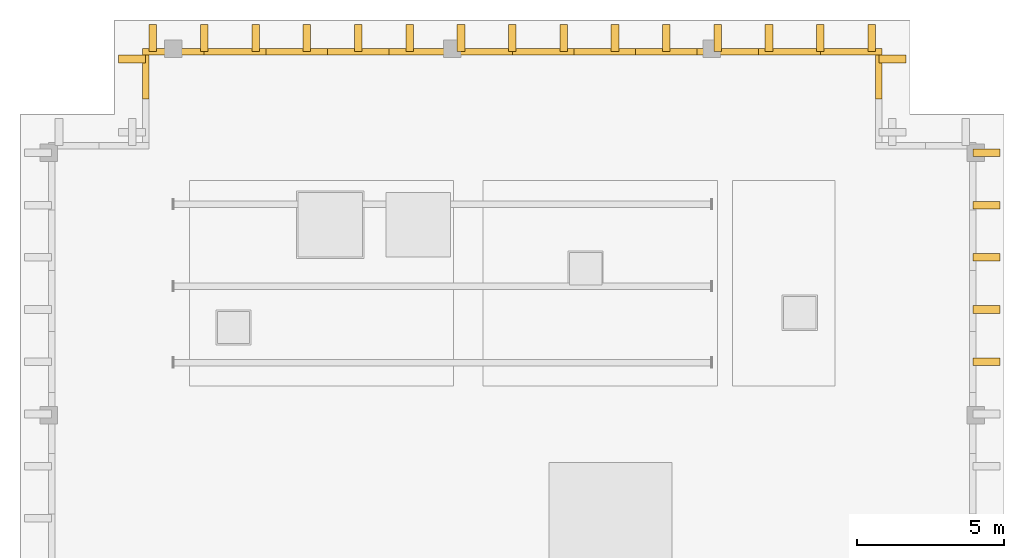
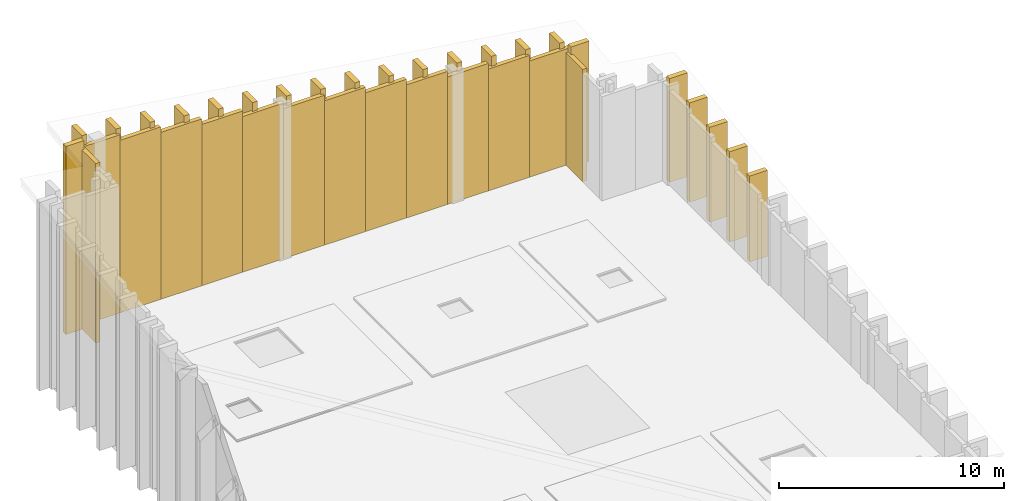
# One storey, part 5 of 5: 36 coverings.
"""IFC4 building model written with IfcOpenShell, lengths in metres."""

from ifc_helpers import new_model, si_unit, direction, frame, origin, place, context, subcontext, project, spatial, polyline, outline, extrude, material, layer, layer_set, type_object, element, save


model = new_model("IFC4")

# Units and contexts
model_context = context("Model", 3, precision=1e-05, world=origin(), true_north=direction((0.0, 1.0)))
body_context = subcontext(model_context, "Body", "Model", "MODEL_VIEW")
ifc_project = project(units=[si_unit("LENGTHUNIT", "METRE"), si_unit("AREAUNIT", "SQUARE_METRE"), si_unit("VOLUMEUNIT", "CUBIC_METRE"), si_unit("PLANEANGLEUNIT", "RADIAN"), si_unit("MASSUNIT", "GRAM", prefix="KILO")], contexts=[model_context])

# Site, building, storey
site_placement = place(None, origin())
site = spatial("IfcSite", under=ifc_project, at=site_placement, CompositionType="ELEMENT")
building_placement = place(site_placement, origin())
building = spatial("IfcBuilding", under=site, at=building_placement, Name="Kundavana Baori Tower", CompositionType="ELEMENT")
storey_placement = place(building_placement, frame((0.0, 0.0, 368.39990234375)))
storey = spatial("IfcBuildingStorey", under=building, at=storey_placement, Name="L89", CompositionType="ELEMENT", Elevation=368.39990234375)

# Coverings
ifc_material_1 = material(Name="Red-Buff Dholpur Sandstone Cladding on Concrete C40/50", Category="masonry")
ifc_layer_1 = layer(ifc_material_1, 0.050048828125, Name="COV-EXT-CLAD")
ifc_layer_set_1 = layer_set([ifc_layer_1], Name="Red-Buff Dholpur Sandstone Cladding on Concrete C40/50")
covering_type_1 = type_object("IfcCoveringType", Name="COV-EXT-CLAD", PredefinedType="CLADDING", material=ifc_layer_set_1)
covering_1_placement = place(storey_placement, origin())
element("IfcCovering", 1, at=covering_1_placement, inside=storey, type_object=covering_type_1, Name="L89 Sloped Sail Crown Stone Cladding Drum 06-02", PredefinedType="CLADDING", context=body_context, shape_type="SweptSolid", body=[
    extrude(outline(polyline([(39.3798828125, 43.7900390625), (39.60009765625, 43.7900390625), (39.60009765625, 45.280029296875), (39.3798828125, 45.280029296875), (39.3798828125, 43.7900390625)])), origin(), (0.0, 0.0, 1.0), 6.09716796875),
])
covering_2_placement = place(storey_placement, origin())
element("IfcCovering", 2, at=covering_2_placement, inside=storey, type_object=covering_type_1, Name="L89 Sloped Sail Crown Stone Cladding Drum 07-01", PredefinedType="CLADDING", context=body_context, shape_type="SweptSolid", body=[
    extrude(outline(polyline([(37.5, 45.280029296875), (39.60009765625, 45.280029296875), (39.60009765625, 45.5), (37.5, 45.5), (37.5, 45.280029296875)])), origin(), (0.0, 0.0, 1.0), 6.299072265625),
])
covering_3_placement = place(storey_placement, origin())
element("IfcCovering", 3, at=covering_3_placement, inside=storey, type_object=covering_type_1, Name="L89 Sloped Sail Crown Stone Cladding Drum 07-02", PredefinedType="CLADDING", context=body_context, shape_type="SweptSolid", body=[
    extrude(outline(polyline([(35.39990234375, 45.280029296875), (37.5, 45.280029296875), (37.5, 45.5), (35.39990234375, 45.5), (35.39990234375, 45.280029296875)])), origin(), (0.0, 0.0, 1.0), 6.6044921875),
])
covering_4_placement = place(storey_placement, origin())
element("IfcCovering", 4, at=covering_4_placement, inside=storey, type_object=covering_type_1, Name="L89 Sloped Sail Crown Stone Cladding Drum 07-03", PredefinedType="CLADDING", context=body_context, shape_type="SweptSolid", body=[
    extrude(outline(polyline([(33.300048828125, 45.280029296875), (35.39990234375, 45.280029296875), (35.39990234375, 45.5), (33.300048828125, 45.5), (33.300048828125, 45.280029296875)])), origin(), (0.0, 0.0, 1.0), 6.910400390625),
])
covering_5_placement = place(storey_placement, origin())
element("IfcCovering", 5, at=covering_5_placement, inside=storey, type_object=covering_type_1, Name="L89 Sloped Sail Crown Stone Cladding Drum 07-04", PredefinedType="CLADDING", context=body_context, shape_type="SweptSolid", body=[
    extrude(outline(polyline([(31.199951171875, 45.280029296875), (33.300048828125, 45.280029296875), (33.300048828125, 45.5), (31.199951171875, 45.5), (31.199951171875, 45.280029296875)])), origin(), (0.0, 0.0, 1.0), 7.216064453125),
])
covering_6_placement = place(storey_placement, origin())
element("IfcCovering", 6, at=covering_6_placement, inside=storey, type_object=covering_type_1, Name="L89 Sloped Sail Crown Stone Cladding Drum 07-05", PredefinedType="CLADDING", context=body_context, shape_type="SweptSolid", body=[
    extrude(outline(polyline([(29.10009765625, 45.280029296875), (31.199951171875, 45.280029296875), (31.199951171875, 45.5), (29.10009765625, 45.5), (29.10009765625, 45.280029296875)])), origin(), (0.0, 0.0, 1.0), 7.521728515625),
])
covering_7_placement = place(storey_placement, origin())
element("IfcCovering", 7, at=covering_7_placement, inside=storey, type_object=covering_type_1, Name="L89 Sloped Sail Crown Stone Cladding Drum 07-06", PredefinedType="CLADDING", context=body_context, shape_type="SweptSolid", body=[
    extrude(outline(polyline([(27.0, 45.280029296875), (29.10009765625, 45.280029296875), (29.10009765625, 45.5), (27.0, 45.5), (27.0, 45.280029296875)])), origin(), (0.0, 0.0, 1.0), 7.827392578125),
])
covering_8_placement = place(storey_placement, origin())
element("IfcCovering", 8, at=covering_8_placement, inside=storey, type_object=covering_type_1, Name="L89 Sloped Sail Crown Stone Cladding Drum 07-07", PredefinedType="CLADDING", context=body_context, shape_type="SweptSolid", body=[
    extrude(outline(polyline([(24.89990234375, 45.280029296875), (27.0, 45.280029296875), (27.0, 45.5), (24.89990234375, 45.5), (24.89990234375, 45.280029296875)])), origin(), (0.0, 0.0, 1.0), 8.133056640625),
])
covering_9_placement = place(storey_placement, origin())
element("IfcCovering", 9, at=covering_9_placement, inside=storey, type_object=covering_type_1, Name="L89 Sloped Sail Crown Stone Cladding Drum 07-08", PredefinedType="CLADDING", context=body_context, shape_type="SweptSolid", body=[
    extrude(outline(polyline([(22.800048828125, 45.280029296875), (24.89990234375, 45.280029296875), (24.89990234375, 45.5), (22.800048828125, 45.5), (22.800048828125, 45.280029296875)])), origin(), (0.0, 0.0, 1.0), 8.438720703125),
])
covering_10_placement = place(storey_placement, origin())
element("IfcCovering", 10, at=covering_10_placement, inside=storey, type_object=covering_type_1, Name="L89 Sloped Sail Crown Stone Cladding Drum 07-09", PredefinedType="CLADDING", context=body_context, shape_type="SweptSolid", body=[
    extrude(outline(polyline([(20.699951171875, 45.280029296875), (22.800048828125, 45.280029296875), (22.800048828125, 45.5), (20.699951171875, 45.5), (20.699951171875, 45.280029296875)])), origin(), (0.0, 0.0, 1.0), 8.744384765625),
])
covering_11_placement = place(storey_placement, origin())
element("IfcCovering", 11, at=covering_11_placement, inside=storey, type_object=covering_type_1, Name="L89 Sloped Sail Crown Stone Cladding Drum 07-10", PredefinedType="CLADDING", context=body_context, shape_type="SweptSolid", body=[
    extrude(outline(polyline([(18.60009765625, 45.280029296875), (20.699951171875, 45.280029296875), (20.699951171875, 45.5), (18.60009765625, 45.5), (18.60009765625, 45.280029296875)])), origin(), (0.0, 0.0, 1.0), 9.05029296875),
])
covering_12_placement = place(storey_placement, origin())
element("IfcCovering", 12, at=covering_12_placement, inside=storey, type_object=covering_type_1, Name="L89 Sloped Sail Crown Stone Cladding Drum 07-11", PredefinedType="CLADDING", context=body_context, shape_type="SweptSolid", body=[
    extrude(outline(polyline([(16.5, 45.280029296875), (18.60009765625, 45.280029296875), (18.60009765625, 45.5), (16.5, 45.5), (16.5, 45.280029296875)])), origin(), (0.0, 0.0, 1.0), 9.35595703125),
])
covering_13_placement = place(storey_placement, origin())
element("IfcCovering", 13, at=covering_13_placement, inside=storey, type_object=covering_type_1, Name="L89 Sloped Sail Crown Stone Cladding Drum 07-12", PredefinedType="CLADDING", context=body_context, shape_type="SweptSolid", body=[
    extrude(outline(polyline([(14.39990234375, 45.280029296875), (16.5, 45.280029296875), (16.5, 45.5), (14.39990234375, 45.5), (14.39990234375, 45.280029296875)])), origin(), (0.0, 0.0, 1.0), 9.66162109375),
])
covering_14_placement = place(storey_placement, origin())
element("IfcCovering", 14, at=covering_14_placement, inside=storey, type_object=covering_type_1, Name="L89 Sloped Sail Crown Stone Cladding Drum 08-01", PredefinedType="CLADDING", context=body_context, shape_type="SweptSolid", body=[
    extrude(outline(polyline([(14.39990234375, 43.7900390625), (14.6201171875, 43.7900390625), (14.6201171875, 45.280029296875), (14.39990234375, 45.280029296875), (14.39990234375, 43.7900390625)])), origin(), (0.0, 0.0, 1.0), 9.7333984375),
])
ifc_material_2 = material(Name="Cream-White Makrana Limestone on Concrete C40/50", Category="masonry")
ifc_layer_2 = layer(ifc_material_2, 0.239990234375, Name="COV-SAIL-FIN")
ifc_layer_set_2 = layer_set([ifc_layer_2], Name="Cream-White Makrana Limestone on Concrete C40/50")
covering_type_2 = type_object("IfcCoveringType", Name="COV-SAIL-FIN", PredefinedType="CLADDING", material=ifc_layer_set_2)
covering_15_placement = place(storey_placement, origin())
element("IfcCovering", 15, at=covering_15_placement, inside=storey, type_object=covering_type_2, Name="L89 Climbing Makrana White Limestone Sail Fin 031", PredefinedType="CLADDING", context=body_context, shape_type="SweptSolid", body=[
    extrude(outline(polyline([(42.699951171875, 34.699951171875), (43.6201171875, 34.699951171875), (43.6201171875, 34.9599609375), (42.699951171875, 34.9599609375), (42.699951171875, 34.699951171875)])), origin(), (0.0, 0.0, 1.0), 4.657958984375),
])
covering_16_placement = place(storey_placement, origin())
element("IfcCovering", 16, at=covering_16_placement, inside=storey, type_object=covering_type_2, Name="L89 Climbing Makrana White Limestone Sail Fin 032", PredefinedType="CLADDING", context=body_context, shape_type="SweptSolid", body=[
    extrude(outline(polyline([(42.699951171875, 36.47998046875), (43.6201171875, 36.47998046875), (43.6201171875, 36.739990234375), (42.699951171875, 36.739990234375), (42.699951171875, 36.47998046875)])), origin(), (0.0, 0.0, 1.0), 4.900146484375),
])
covering_17_placement = place(storey_placement, origin())
element("IfcCovering", 17, at=covering_17_placement, inside=storey, type_object=covering_type_2, Name="L89 Climbing Makrana White Limestone Sail Fin 033", PredefinedType="CLADDING", context=body_context, shape_type="SweptSolid", body=[
    extrude(outline(polyline([(42.699951171875, 38.260009765625), (43.6201171875, 38.260009765625), (43.6201171875, 38.52001953125), (42.699951171875, 38.52001953125), (42.699951171875, 38.260009765625)])), origin(), (0.0, 0.0, 1.0), 5.142578125),
])
covering_18_placement = place(storey_placement, origin())
element("IfcCovering", 18, at=covering_18_placement, inside=storey, type_object=covering_type_2, Name="L89 Climbing Makrana White Limestone Sail Fin 034", PredefinedType="CLADDING", context=body_context, shape_type="SweptSolid", body=[
    extrude(outline(polyline([(42.699951171875, 40.0400390625), (43.6201171875, 40.0400390625), (43.6201171875, 40.300048828125), (42.699951171875, 40.300048828125), (42.699951171875, 40.0400390625)])), origin(), (0.0, 0.0, 1.0), 5.384765625),
])
covering_19_placement = place(storey_placement, origin())
element("IfcCovering", 19, at=covering_19_placement, inside=storey, type_object=covering_type_2, Name="L89 Climbing Makrana White Limestone Sail Fin 035", PredefinedType="CLADDING", context=body_context, shape_type="SweptSolid", body=[
    extrude(outline(polyline([(42.699951171875, 41.820068359375), (43.6201171875, 41.820068359375), (43.6201171875, 42.080078125), (42.699951171875, 42.080078125), (42.699951171875, 41.820068359375)])), origin(), (0.0, 0.0, 1.0), 5.626953125),
])
covering_20_placement = place(storey_placement, origin())
element("IfcCovering", 20, at=covering_20_placement, inside=storey, type_object=covering_type_2, Name="L89 Climbing Makrana White Limestone Sail Fin 039", PredefinedType="CLADDING", context=body_context, shape_type="SweptSolid", body=[
    extrude(outline(polyline([(39.5, 45.02001953125), (40.419921875, 45.02001953125), (40.419921875, 45.280029296875), (39.5, 45.280029296875), (39.5, 45.02001953125)])), origin(), (0.0, 0.0, 1.0), 6.5283203125),
])
covering_21_placement = place(storey_placement, origin())
element("IfcCovering", 21, at=covering_21_placement, inside=storey, type_object=covering_type_2, Name="L89 Climbing Makrana White Limestone Sail Fin 040", PredefinedType="CLADDING", context=body_context, shape_type="SweptSolid", body=[
    extrude(outline(polyline([(39.1201171875, 45.39990234375), (39.3798828125, 45.39990234375), (39.3798828125, 46.320068359375), (39.1201171875, 46.320068359375), (39.1201171875, 45.39990234375)])), origin(), (0.0, 0.0, 1.0), 6.626953125),
])
covering_22_placement = place(storey_placement, origin())
element("IfcCovering", 22, at=covering_22_placement, inside=storey, type_object=covering_type_2, Name="L89 Climbing Makrana White Limestone Sail Fin 041", PredefinedType="CLADDING", context=body_context, shape_type="SweptSolid", body=[
    extrude(outline(polyline([(37.3701171875, 45.39990234375), (37.6298828125, 45.39990234375), (37.6298828125, 46.320068359375), (37.3701171875, 46.320068359375), (37.3701171875, 45.39990234375)])), origin(), (0.0, 0.0, 1.0), 6.881591796875),
])
covering_23_placement = place(storey_placement, origin())
element("IfcCovering", 23, at=covering_23_placement, inside=storey, type_object=covering_type_2, Name="L89 Climbing Makrana White Limestone Sail Fin 042", PredefinedType="CLADDING", context=body_context, shape_type="SweptSolid", body=[
    extrude(outline(polyline([(35.6201171875, 45.39990234375), (35.8798828125, 45.39990234375), (35.8798828125, 46.320068359375), (35.6201171875, 46.320068359375), (35.6201171875, 45.39990234375)])), origin(), (0.0, 0.0, 1.0), 7.136474609375),
])
covering_24_placement = place(storey_placement, origin())
element("IfcCovering", 24, at=covering_24_placement, inside=storey, type_object=covering_type_2, Name="L89 Climbing Makrana White Limestone Sail Fin 043", PredefinedType="CLADDING", context=body_context, shape_type="SweptSolid", body=[
    extrude(outline(polyline([(33.8701171875, 45.39990234375), (34.1298828125, 45.39990234375), (34.1298828125, 46.320068359375), (33.8701171875, 46.320068359375), (33.8701171875, 45.39990234375)])), origin(), (0.0, 0.0, 1.0), 7.39111328125),
])
covering_25_placement = place(storey_placement, origin())
element("IfcCovering", 25, at=covering_25_placement, inside=storey, type_object=covering_type_2, Name="L89 Climbing Makrana White Limestone Sail Fin 044", PredefinedType="CLADDING", context=body_context, shape_type="SweptSolid", body=[
    extrude(outline(polyline([(32.1201171875, 45.39990234375), (32.3798828125, 45.39990234375), (32.3798828125, 46.320068359375), (32.1201171875, 46.320068359375), (32.1201171875, 45.39990234375)])), origin(), (0.0, 0.0, 1.0), 7.64599609375),
])
covering_26_placement = place(storey_placement, origin())
element("IfcCovering", 26, at=covering_26_placement, inside=storey, type_object=covering_type_2, Name="L89 Climbing Makrana White Limestone Sail Fin 045", PredefinedType="CLADDING", context=body_context, shape_type="SweptSolid", body=[
    extrude(outline(polyline([(30.3701171875, 45.39990234375), (30.6298828125, 45.39990234375), (30.6298828125, 46.320068359375), (30.3701171875, 46.320068359375), (30.3701171875, 45.39990234375)])), origin(), (0.0, 0.0, 1.0), 7.900634765625),
])
covering_27_placement = place(storey_placement, origin())
element("IfcCovering", 27, at=covering_27_placement, inside=storey, type_object=covering_type_2, Name="L89 Climbing Makrana White Limestone Sail Fin 046", PredefinedType="CLADDING", context=body_context, shape_type="SweptSolid", body=[
    extrude(outline(polyline([(28.6201171875, 45.39990234375), (28.8798828125, 45.39990234375), (28.8798828125, 46.320068359375), (28.6201171875, 46.320068359375), (28.6201171875, 45.39990234375)])), origin(), (0.0, 0.0, 1.0), 8.155517578125),
])
covering_28_placement = place(storey_placement, origin())
element("IfcCovering", 28, at=covering_28_placement, inside=storey, type_object=covering_type_2, Name="L89 Climbing Makrana White Limestone Sail Fin 047", PredefinedType="CLADDING", context=body_context, shape_type="SweptSolid", body=[
    extrude(outline(polyline([(26.8701171875, 45.39990234375), (27.1298828125, 45.39990234375), (27.1298828125, 46.320068359375), (26.8701171875, 46.320068359375), (26.8701171875, 45.39990234375)])), origin(), (0.0, 0.0, 1.0), 8.41015625),
])
covering_29_placement = place(storey_placement, origin())
element("IfcCovering", 29, at=covering_29_placement, inside=storey, type_object=covering_type_2, Name="L89 Climbing Makrana White Limestone Sail Fin 048", PredefinedType="CLADDING", context=body_context, shape_type="SweptSolid", body=[
    extrude(outline(polyline([(25.1201171875, 45.39990234375), (25.3798828125, 45.39990234375), (25.3798828125, 46.320068359375), (25.1201171875, 46.320068359375), (25.1201171875, 45.39990234375)])), origin(), (0.0, 0.0, 1.0), 8.664794921875),
])
covering_30_placement = place(storey_placement, origin())
element("IfcCovering", 30, at=covering_30_placement, inside=storey, type_object=covering_type_2, Name="L89 Climbing Makrana White Limestone Sail Fin 049", PredefinedType="CLADDING", context=body_context, shape_type="SweptSolid", body=[
    extrude(outline(polyline([(23.3701171875, 45.39990234375), (23.6298828125, 45.39990234375), (23.6298828125, 46.320068359375), (23.3701171875, 46.320068359375), (23.3701171875, 45.39990234375)])), origin(), (0.0, 0.0, 1.0), 8.919677734375),
])
covering_31_placement = place(storey_placement, origin())
element("IfcCovering", 31, at=covering_31_placement, inside=storey, type_object=covering_type_2, Name="L89 Climbing Makrana White Limestone Sail Fin 050", PredefinedType="CLADDING", context=body_context, shape_type="SweptSolid", body=[
    extrude(outline(polyline([(21.6201171875, 45.39990234375), (21.8798828125, 45.39990234375), (21.8798828125, 46.320068359375), (21.6201171875, 46.320068359375), (21.6201171875, 45.39990234375)])), origin(), (0.0, 0.0, 1.0), 9.17431640625),
])
covering_32_placement = place(storey_placement, origin())
element("IfcCovering", 32, at=covering_32_placement, inside=storey, type_object=covering_type_2, Name="L89 Climbing Makrana White Limestone Sail Fin 051", PredefinedType="CLADDING", context=body_context, shape_type="SweptSolid", body=[
    extrude(outline(polyline([(19.8701171875, 45.39990234375), (20.1298828125, 45.39990234375), (20.1298828125, 46.320068359375), (19.8701171875, 46.320068359375), (19.8701171875, 45.39990234375)])), origin(), (0.0, 0.0, 1.0), 9.42919921875),
])
covering_33_placement = place(storey_placement, origin())
element("IfcCovering", 33, at=covering_33_placement, inside=storey, type_object=covering_type_2, Name="L89 Climbing Makrana White Limestone Sail Fin 052", PredefinedType="CLADDING", context=body_context, shape_type="SweptSolid", body=[
    extrude(outline(polyline([(18.1201171875, 45.39990234375), (18.3798828125, 45.39990234375), (18.3798828125, 46.320068359375), (18.1201171875, 46.320068359375), (18.1201171875, 45.39990234375)])), origin(), (0.0, 0.0, 1.0), 9.683837890625),
])
covering_34_placement = place(storey_placement, origin())
element("IfcCovering", 34, at=covering_34_placement, inside=storey, type_object=covering_type_2, Name="L89 Climbing Makrana White Limestone Sail Fin 053", PredefinedType="CLADDING", context=body_context, shape_type="SweptSolid", body=[
    extrude(outline(polyline([(16.3701171875, 45.39990234375), (16.6298828125, 45.39990234375), (16.6298828125, 46.320068359375), (16.3701171875, 46.320068359375), (16.3701171875, 45.39990234375)])), origin(), (0.0, 0.0, 1.0), 9.9384765625),
])
covering_35_placement = place(storey_placement, origin())
element("IfcCovering", 35, at=covering_35_placement, inside=storey, type_object=covering_type_2, Name="L89 Climbing Makrana White Limestone Sail Fin 054", PredefinedType="CLADDING", context=body_context, shape_type="SweptSolid", body=[
    extrude(outline(polyline([(14.6201171875, 45.39990234375), (14.8798828125, 45.39990234375), (14.8798828125, 46.320068359375), (14.6201171875, 46.320068359375), (14.6201171875, 45.39990234375)])), origin(), (0.0, 0.0, 1.0), 10.193359375),
])
covering_36_placement = place(storey_placement, origin())
element("IfcCovering", 36, at=covering_36_placement, inside=storey, type_object=covering_type_2, Name="L89 Climbing Makrana White Limestone Sail Fin 055", PredefinedType="CLADDING", context=body_context, shape_type="SweptSolid", body=[
    extrude(outline(polyline([(13.580078125, 45.02001953125), (14.5, 45.02001953125), (14.5, 45.280029296875), (13.580078125, 45.280029296875), (13.580078125, 45.02001953125)])), origin(), (0.0, 0.0, 1.0), 10.196533203125),
])

save(model, "model.ifc")
